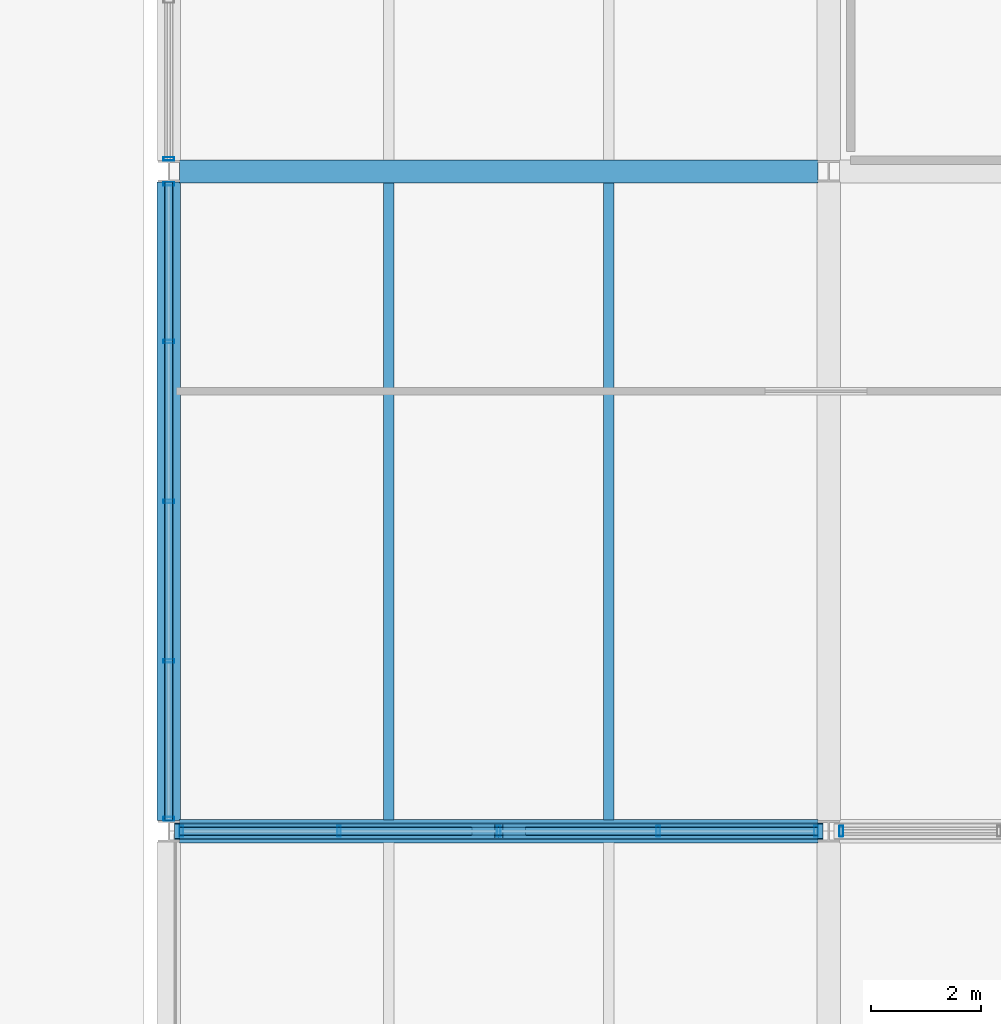
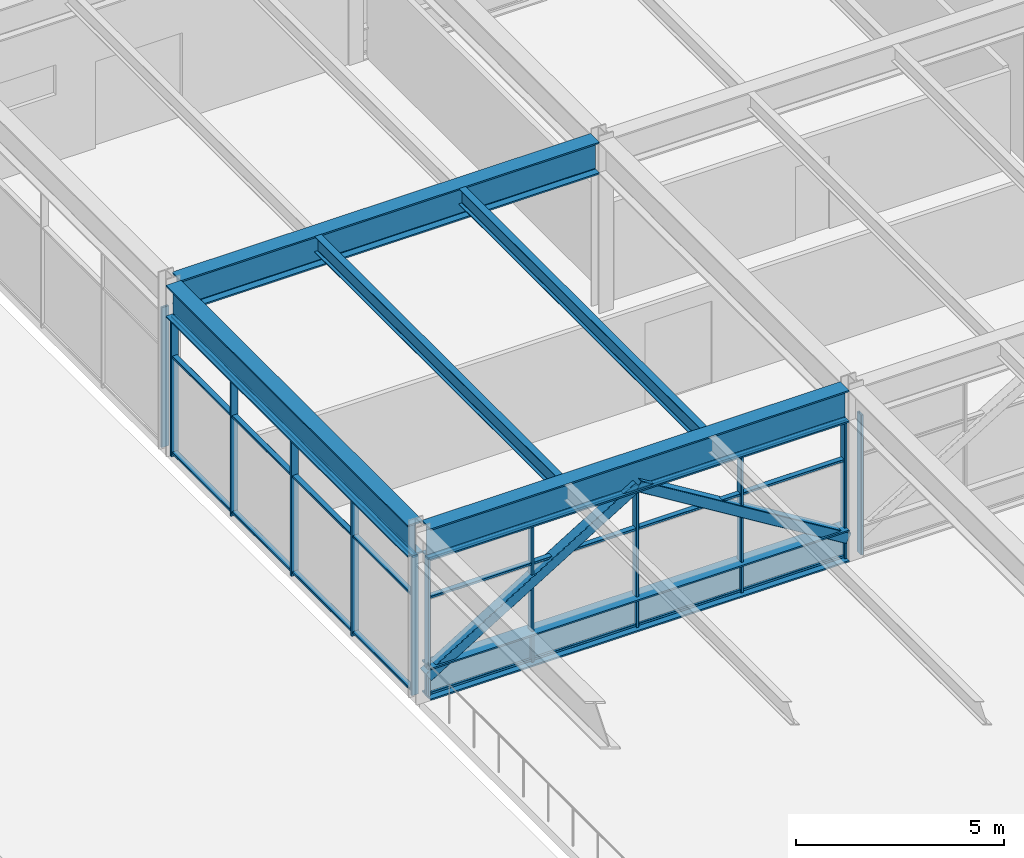
# One storey, part 7 of 42: 21 members, 5 beams, 4 elements without a shape of their own.
"""IFC4 building model written with IfcOpenShell, lengths in metres."""

from ifc_helpers import new_model, si_unit, direction, frame, origin, origin_2d, place, context, subcontext, project, spatial, hollow_rectangle, i_section, extrude, material, material_profile, profile_set, type_object, element, aggregate, save


model = new_model("IFC4")

# Units and contexts
model_context = context("Model", 3, precision=1e-05, world=origin(), true_north=direction((0.0, 1.0)))
body_context = subcontext(model_context, "Body", "Model", "MODEL_VIEW")
ifc_project = project(units=[si_unit("LENGTHUNIT", "METRE"), si_unit("AREAUNIT", "SQUARE_METRE"), si_unit("VOLUMEUNIT", "CUBIC_METRE"), si_unit("PLANEANGLEUNIT", "RADIAN"), si_unit("MASSUNIT", "GRAM", prefix="KILO")], contexts=[model_context])

# Site, building, storey
site_placement = place(None, origin())
site = spatial("IfcSite", under=ifc_project, at=site_placement, CompositionType="ELEMENT")
building_placement = place(site_placement, origin())
building = spatial("IfcBuilding", under=site, at=building_placement, Name="Girod Span Mobility Hub", CompositionType="ELEMENT")
storey_placement = place(building_placement, frame((0.0, 0.0, 32.39990234375)))
storey = spatial("IfcBuildingStorey", under=building, at=storey_placement, Name="L08", CompositionType="ELEMENT", Elevation=32.39990234375)

# Beams
ifc_material_1 = material(Name="Steel A992 Grade 50", Category="steel")
ifc_material_profile_1 = material_profile(ifc_material_1, i_section(OverallWidth=0.19189453125, OverallDepth=0.462890625, WebThickness=0.010498046875, FlangeThickness=0.017578125, FilletRadius=0.013916015625, at=origin_2d()), Name="W18X60")
ifc_profile_set_1 = profile_set([ifc_material_profile_1], Name="Steel A992 Grade 50")
beam_type_1 = type_object("IfcBeamType", Name="BM-STL-W18X60", PredefinedType="BEAM", material=ifc_profile_set_1)
for number, where, z_axis, x_axis, name in (
    (1, (28.0, 45.20849609375, 4.80859375), (0.0, 1.0, 0.0), (-1.0, 0.0, 0.0), "Composite Floorbeam 3/D-1 L08"),
    (2, (32.0, 45.20849609375, 4.80859375), (0.0, 1.0, 0.0), (-1.0, 0.0, 0.0), "Composite Floorbeam 3/D-2 L08"),
):
    element("IfcBeam", number, at=place(storey_placement, frame(where, z_axis=z_axis, x_axis=x_axis)), inside=storey, type_object=beam_type_1, Name=name, PredefinedType="BEAM", context=body_context, shape_type="SweptSolid", body=[
        extrude(i_section(OverallWidth=0.19189453125, OverallDepth=0.462890625, WebThickness=0.010498046875, FlangeThickness=0.017578125, FilletRadius=0.013916015625, at=origin_2d()), origin(), (0.0, 0.0, 1.0), 11.5830078125),
    ])
ifc_material_2 = material(Name="Steel A992 Grade 50", Category="steel")
ifc_material_profile_2 = material_profile(ifc_material_2, i_section(OverallWidth=0.423095703125, OverallDepth=0.93994140625, WebThickness=0.02392578125, FlangeThickness=0.042724609375, FilletRadius=0.02392578125, at=origin_2d()), Name="W36X302")
ifc_profile_set_2 = profile_set([ifc_material_profile_2], Name="Steel A992 Grade 50")
beam_type_2 = type_object("IfcBeamType", Name="BM-STL-W36X302", PredefinedType="BEAM", material=ifc_profile_set_2)
for number, where, z_axis, x_axis, name in (
    (3, (24.196533203125, 45.0, 4.570068359375), (1.0, 0.0, 0.0), (0.0, 1.0, 0.0), "Girder 3-4/D L08"),
    (4, (24.196533203125, 57.0, 4.570068359375), (1.0, 0.0, 0.0), (0.0, 1.0, 0.0), "Girder 3-4/E L08"),
):
    element("IfcBeam", number, at=place(storey_placement, frame(where, z_axis=z_axis, x_axis=x_axis)), inside=storey, type_object=beam_type_2, Name=name, PredefinedType="BEAM", context=body_context, shape_type="SweptSolid", body=[
        extrude(i_section(OverallWidth=0.423095703125, OverallDepth=0.93994140625, WebThickness=0.02392578125, FlangeThickness=0.042724609375, FilletRadius=0.02392578125, at=origin_2d()), origin(), (0.0, 0.0, 1.0), 11.60693359375),
    ])
beam_placement = place(storey_placement, frame((24.0, 45.193603515625, 4.570068359375), z_axis=(0.0, 1.0, 0.0), x_axis=(-1.0, 0.0, 0.0)))
element("IfcBeam", 5, at=beam_placement, inside=storey, type_object=beam_type_2, Name="Tie Girder 3/D-E L08", PredefinedType="BEAM", context=body_context, shape_type="SweptSolid", body=[
    extrude(i_section(OverallWidth=0.423095703125, OverallDepth=0.93994140625, WebThickness=0.02392578125, FlangeThickness=0.042724609375, FilletRadius=0.02392578125, at=origin_2d()), origin(), (0.0, 0.0, 1.0), 11.61279296875),
])

# Curtain wall, members
ifc_material_3 = material(Name="Thermally Broken Anodised Aluminium", Category="aluminium")
curtain_wall_type_1 = type_object("IfcCurtainWallType", Name="CW-1160X410", PredefinedType="USERDEFINED", material=ifc_material_3)
curtain_wall_1_placement = place(storey_placement, origin())
curtain_wall_1 = element("IfcCurtainWall", 6, at=curtain_wall_1_placement, inside=storey, type_object=curtain_wall_type_1, Name="Unitised Curtain Wall CW-L08-S03 L08", ObjectType="UNITISED CURTAIN WALL", PredefinedType="USERDEFINED")
ifc_material_4 = material(Name="Thermally Broken Anodised Aluminium", Category="aluminium")
ifc_material_profile_3 = material_profile(ifc_material_4, hollow_rectangle(XDim=0.199951171875, YDim=0.06494140625, WallThickness=0.00390625, InnerFilletRadius=0.00390625, OuterFilletRadius=0.008056640625, at=origin_2d()), Name="CW-ML-65X200")
ifc_profile_set_3 = profile_set([ifc_material_profile_3], Name="Thermally Broken Anodised Aluminium")
member_type_1 = type_object("IfcMemberType", Name="CWM-ML-1", PredefinedType="MULLION", material=ifc_profile_set_3)
member_1_placement = place(storey_placement, frame((24.2294921875, 45.0, 0.0), z_axis=(0.0, 0.0, 1.0), x_axis=(0.0, 1.0, 0.0)))
member_1 = element("IfcMember", 7, at=member_1_placement, type_object=member_type_1, Name="Curtain Wall Mullion CW-L08-S03-M0", PredefinedType="MULLION", context=body_context, shape_type="SweptSolid", body=[
    extrude(hollow_rectangle(XDim=0.199951171875, YDim=0.06494140625, WallThickness=0.00390625, InnerFilletRadius=0.00390625, OuterFilletRadius=0.008056640625, at=origin_2d()), origin(), (0.0, 0.0, 1.0), 4.10009765625),
])
member_2_placement = place(storey_placement, frame((27.098876953125, 45.0, 0.0), z_axis=(0.0, 0.0, 1.0), x_axis=(0.0, 1.0, 0.0)))
member_2 = element("IfcMember", 8, at=member_2_placement, type_object=member_type_1, Name="Curtain Wall Mullion CW-L08-S03-M1", PredefinedType="MULLION", context=body_context, shape_type="SweptSolid", body=[
    extrude(hollow_rectangle(XDim=0.199951171875, YDim=0.06494140625, WallThickness=0.00390625, InnerFilletRadius=0.00390625, OuterFilletRadius=0.008056640625, at=origin_2d()), origin(), (0.0, 0.0, 1.0), 4.10009765625),
])
member_3_placement = place(storey_placement, frame((30.0, 45.0, 0.0), z_axis=(0.0, 0.0, 1.0), x_axis=(0.0, 1.0, 0.0)))
member_3 = element("IfcMember", 9, at=member_3_placement, type_object=member_type_1, Name="Curtain Wall Mullion CW-L08-S03-M2", PredefinedType="MULLION", context=body_context, shape_type="SweptSolid", body=[
    extrude(hollow_rectangle(XDim=0.199951171875, YDim=0.06494140625, WallThickness=0.00390625, InnerFilletRadius=0.00390625, OuterFilletRadius=0.008056640625, at=origin_2d()), origin(), (0.0, 0.0, 1.0), 4.10009765625),
])
member_4_placement = place(storey_placement, frame((32.9013671875, 45.0, 0.0), z_axis=(0.0, 0.0, 1.0), x_axis=(0.0, 1.0, 0.0)))
member_4 = element("IfcMember", 10, at=member_4_placement, type_object=member_type_1, Name="Curtain Wall Mullion CW-L08-S03-M3", PredefinedType="MULLION", context=body_context, shape_type="SweptSolid", body=[
    extrude(hollow_rectangle(XDim=0.199951171875, YDim=0.06494140625, WallThickness=0.00390625, InnerFilletRadius=0.00390625, OuterFilletRadius=0.008056640625, at=origin_2d()), origin(), (0.0, 0.0, 1.0), 4.10009765625),
])
member_5_placement = place(storey_placement, frame((35.7705078125, 45.0, 0.0), z_axis=(0.0, 0.0, 1.0), x_axis=(0.0, 1.0, 0.0)))
member_5 = element("IfcMember", 11, at=member_5_placement, type_object=member_type_1, Name="Curtain Wall Mullion CW-L08-S03-M4", PredefinedType="MULLION", context=body_context, shape_type="SweptSolid", body=[
    extrude(hollow_rectangle(XDim=0.199951171875, YDim=0.06494140625, WallThickness=0.00390625, InnerFilletRadius=0.00390625, OuterFilletRadius=0.008056640625, at=origin_2d()), origin(), (0.0, 0.0, 1.0), 4.10009765625),
])

# Curtain wall, member
curtain_wall_2_placement = place(storey_placement, origin())
curtain_wall_2 = element("IfcCurtainWall", 12, at=curtain_wall_2_placement, inside=storey, type_object=curtain_wall_type_1, Name="Unitised Curtain Wall CW-L08-S04 L08", ObjectType="UNITISED CURTAIN WALL", PredefinedType="USERDEFINED")
member_6_placement = place(storey_placement, frame((36.2294921875, 45.0, 0.0), z_axis=(0.0, 0.0, 1.0), x_axis=(0.0, 1.0, 0.0)))
member_6 = element("IfcMember", 13, at=member_6_placement, type_object=member_type_1, Name="Curtain Wall Mullion CW-L08-S04-M0", PredefinedType="MULLION", context=body_context, shape_type="SweptSolid", body=[
    extrude(hollow_rectangle(XDim=0.199951171875, YDim=0.06494140625, WallThickness=0.00390625, InnerFilletRadius=0.00390625, OuterFilletRadius=0.008056640625, at=origin_2d()), origin(), (0.0, 0.0, 1.0), 4.10009765625),
])
aggregate(curtain_wall_2, [member_6])

# Curtain wall, members
ifc_material_5 = material(Name="Thermally Broken Anodised Aluminium", Category="aluminium")
curtain_wall_type_2 = type_object("IfcCurtainWallType", Name="CW-1161X410", PredefinedType="USERDEFINED", material=ifc_material_5)
curtain_wall_3_placement = place(storey_placement, origin())
curtain_wall_3 = element("IfcCurtainWall", 14, at=curtain_wall_3_placement, inside=storey, type_object=curtain_wall_type_2, Name="Unitised Curtain Wall CW-L08-WD L08", ObjectType="UNITISED CURTAIN WALL", PredefinedType="USERDEFINED")
member_7_placement = place(storey_placement, frame((24.0, 45.2265625, 0.0), z_axis=(0.0, 0.0, 1.0), x_axis=(1.0, 0.0, 0.0)))
member_7 = element("IfcMember", 15, at=member_7_placement, type_object=member_type_1, Name="Curtain Wall Mullion CW-L08-WD-M0", PredefinedType="MULLION", context=body_context, shape_type="SweptSolid", body=[
    extrude(hollow_rectangle(XDim=0.199951171875, YDim=0.06494140625, WallThickness=0.00390625, InnerFilletRadius=0.00390625, OuterFilletRadius=0.008056640625, at=origin_2d()), origin(), (0.0, 0.0, 1.0), 4.10009765625),
])
member_8_placement = place(storey_placement, frame((24.0, 48.09716796875, 0.0), z_axis=(0.0, 0.0, 1.0), x_axis=(1.0, 0.0, 0.0)))
member_8 = element("IfcMember", 16, at=member_8_placement, type_object=member_type_1, Name="Curtain Wall Mullion CW-L08-WD-M1", PredefinedType="MULLION", context=body_context, shape_type="SweptSolid", body=[
    extrude(hollow_rectangle(XDim=0.199951171875, YDim=0.06494140625, WallThickness=0.00390625, InnerFilletRadius=0.00390625, OuterFilletRadius=0.008056640625, at=origin_2d()), origin(), (0.0, 0.0, 1.0), 4.10009765625),
])
member_9_placement = place(storey_placement, frame((24.0, 51.0, 0.0), z_axis=(0.0, 0.0, 1.0), x_axis=(1.0, 0.0, 0.0)))
member_9 = element("IfcMember", 17, at=member_9_placement, type_object=member_type_1, Name="Curtain Wall Mullion CW-L08-WD-M2", PredefinedType="MULLION", context=body_context, shape_type="SweptSolid", body=[
    extrude(hollow_rectangle(XDim=0.199951171875, YDim=0.06494140625, WallThickness=0.00390625, InnerFilletRadius=0.00390625, OuterFilletRadius=0.008056640625, at=origin_2d()), origin(), (0.0, 0.0, 1.0), 4.10009765625),
])
member_10_placement = place(storey_placement, frame((24.0, 53.902587890625, 0.0), z_axis=(0.0, 0.0, 1.0), x_axis=(1.0, 0.0, 0.0)))
member_10 = element("IfcMember", 18, at=member_10_placement, type_object=member_type_1, Name="Curtain Wall Mullion CW-L08-WD-M3", PredefinedType="MULLION", context=body_context, shape_type="SweptSolid", body=[
    extrude(hollow_rectangle(XDim=0.199951171875, YDim=0.06494140625, WallThickness=0.00390625, InnerFilletRadius=0.00390625, OuterFilletRadius=0.008056640625, at=origin_2d()), origin(), (0.0, 0.0, 1.0), 4.10009765625),
])
member_11_placement = place(storey_placement, frame((24.0, 56.7734375, 0.0), z_axis=(0.0, 0.0, 1.0), x_axis=(1.0, 0.0, 0.0)))
member_11 = element("IfcMember", 19, at=member_11_placement, type_object=member_type_1, Name="Curtain Wall Mullion CW-L08-WD-M4", PredefinedType="MULLION", context=body_context, shape_type="SweptSolid", body=[
    extrude(hollow_rectangle(XDim=0.199951171875, YDim=0.06494140625, WallThickness=0.00390625, InnerFilletRadius=0.00390625, OuterFilletRadius=0.008056640625, at=origin_2d()), origin(), (0.0, 0.0, 1.0), 4.10009765625),
])

# Curtain wall, member
curtain_wall_4_placement = place(storey_placement, origin())
curtain_wall_4 = element("IfcCurtainWall", 20, at=curtain_wall_4_placement, inside=storey, type_object=curtain_wall_type_2, Name="Unitised Curtain Wall CW-L08-WE L08", ObjectType="UNITISED CURTAIN WALL", PredefinedType="USERDEFINED")
member_12_placement = place(storey_placement, frame((24.0, 57.2265625, 0.0), z_axis=(0.0, 0.0, 1.0), x_axis=(1.0, 0.0, 0.0)))
member_12 = element("IfcMember", 21, at=member_12_placement, type_object=member_type_1, Name="Curtain Wall Mullion CW-L08-WE-M0", PredefinedType="MULLION", context=body_context, shape_type="SweptSolid", body=[
    extrude(hollow_rectangle(XDim=0.199951171875, YDim=0.06494140625, WallThickness=0.00390625, InnerFilletRadius=0.00390625, OuterFilletRadius=0.008056640625, at=origin_2d()), origin(), (0.0, 0.0, 1.0), 4.10009765625),
])
aggregate(curtain_wall_4, [member_12])

# Member
ifc_material_6 = material(Name="Thermally Broken Anodised Aluminium", Category="aluminium")
ifc_material_profile_4 = material_profile(ifc_material_6, hollow_rectangle(XDim=0.14990234375, YDim=0.06494140625, WallThickness=0.00390625, InnerFilletRadius=0.00390625, OuterFilletRadius=0.008056640625, at=origin_2d()), Name="CW-TR-65X150")
ifc_profile_set_4 = profile_set([ifc_material_profile_4], Name="Thermally Broken Anodised Aluminium")
member_type_2 = type_object("IfcMemberType", Name="CWM-TR-1", PredefinedType="USERDEFINED", material=ifc_profile_set_4)
member_13_placement = place(storey_placement, frame((24.197509765625, 45.0, 0.107666015625), z_axis=(1.0, 0.0, 0.0), x_axis=(0.0, 1.0, 0.0)))
member_13 = element("IfcMember", 22, at=member_13_placement, type_object=member_type_2, Name="Curtain Wall Transom CW-L08-S03-T1", ObjectType="TRANSOM", PredefinedType="USERDEFINED", context=body_context, shape_type="SweptSolid", body=[
    extrude(hollow_rectangle(XDim=0.14990234375, YDim=0.06494140625, WallThickness=0.00390625, InnerFilletRadius=0.00390625, OuterFilletRadius=0.008056640625, at=origin_2d()), origin(), (0.0, 0.0, 1.0), 11.60498046875),
])

member_14_placement = place(storey_placement, frame((24.197509765625, 45.0, 2.919677734375), z_axis=(1.0, 0.0, 0.0), x_axis=(0.0, 1.0, 0.0)))
member_14 = element("IfcMember", 23, at=member_14_placement, type_object=member_type_2, Name="Curtain Wall Transom CW-L08-S03-T2", ObjectType="TRANSOM", PredefinedType="USERDEFINED", context=body_context, shape_type="SweptSolid", body=[
    extrude(hollow_rectangle(XDim=0.14990234375, YDim=0.06494140625, WallThickness=0.00390625, InnerFilletRadius=0.00390625, OuterFilletRadius=0.008056640625, at=origin_2d()), origin(), (0.0, 0.0, 1.0), 11.60498046875),
])

member_15_placement = place(storey_placement, frame((24.197509765625, 45.0, 4.067626953125), z_axis=(1.0, 0.0, 0.0), x_axis=(0.0, 1.0, 0.0)))
member_15 = element("IfcMember", 24, at=member_15_placement, type_object=member_type_2, Name="Curtain Wall Transom CW-L08-S03-T3", ObjectType="TRANSOM", PredefinedType="USERDEFINED", context=body_context, shape_type="SweptSolid", body=[
    extrude(hollow_rectangle(XDim=0.14990234375, YDim=0.06494140625, WallThickness=0.00390625, InnerFilletRadius=0.00390625, OuterFilletRadius=0.008056640625, at=origin_2d()), origin(), (0.0, 0.0, 1.0), 11.60498046875),
])

aggregate(curtain_wall_1, [member_1, member_2, member_3, member_4, member_5, member_13, member_14, member_15])

member_16_placement = place(storey_placement, frame((24.0, 45.194580078125, 0.107666015625), z_axis=(0.0, 1.0, 0.0), x_axis=(-1.0, 0.0, 0.0)))
member_16 = element("IfcMember", 25, at=member_16_placement, type_object=member_type_2, Name="Curtain Wall Transom CW-L08-WD-T1", ObjectType="TRANSOM", PredefinedType="USERDEFINED", context=body_context, shape_type="SweptSolid", body=[
    extrude(hollow_rectangle(XDim=0.14990234375, YDim=0.06494140625, WallThickness=0.00390625, InnerFilletRadius=0.00390625, OuterFilletRadius=0.008056640625, at=origin_2d()), origin(), (0.0, 0.0, 1.0), 11.61083984375),
])

member_17_placement = place(storey_placement, frame((24.0, 45.194580078125, 2.919677734375), z_axis=(0.0, 1.0, 0.0), x_axis=(-1.0, 0.0, 0.0)))
member_17 = element("IfcMember", 26, at=member_17_placement, type_object=member_type_2, Name="Curtain Wall Transom CW-L08-WD-T2", ObjectType="TRANSOM", PredefinedType="USERDEFINED", context=body_context, shape_type="SweptSolid", body=[
    extrude(hollow_rectangle(XDim=0.14990234375, YDim=0.06494140625, WallThickness=0.00390625, InnerFilletRadius=0.00390625, OuterFilletRadius=0.008056640625, at=origin_2d()), origin(), (0.0, 0.0, 1.0), 11.61083984375),
])

member_18_placement = place(storey_placement, frame((24.0, 45.194580078125, 4.067626953125), z_axis=(0.0, 1.0, 0.0), x_axis=(-1.0, 0.0, 0.0)))
member_18 = element("IfcMember", 27, at=member_18_placement, type_object=member_type_2, Name="Curtain Wall Transom CW-L08-WD-T3", ObjectType="TRANSOM", PredefinedType="USERDEFINED", context=body_context, shape_type="SweptSolid", body=[
    extrude(hollow_rectangle(XDim=0.14990234375, YDim=0.06494140625, WallThickness=0.00390625, InnerFilletRadius=0.00390625, OuterFilletRadius=0.008056640625, at=origin_2d()), origin(), (0.0, 0.0, 1.0), 11.61083984375),
])

aggregate(curtain_wall_3, [member_7, member_8, member_9, member_10, member_11, member_16, member_17, member_18])

# Members
ifc_material_7 = material(Name="Steel HSS A500 Grade C", Category="steel")
ifc_material_profile_5 = material_profile(ifc_material_7, hollow_rectangle(XDim=0.304931640625, YDim=0.304931640625, WallThickness=0.014892578125, InnerFilletRadius=0.014892578125, OuterFilletRadius=0.029541015625, at=origin_2d()), Name="HSS305X305X16")
ifc_profile_set_5 = profile_set([ifc_material_profile_5], Name="Steel HSS A500 Grade C")
member_type_3 = type_object("IfcMemberType", Name="MB-BR-HSS305", PredefinedType="BRACE", material=ifc_profile_set_5)
for number, where, z_axis, x_axis, name in (
    (28, (24.179443359375, 45.0, 0.650146484375), (0.852429572688, 0.0, 0.522842063731), (0.0, 1.0, 0.0), "Warren Transfer Truss Web Diagonal Y=45 3-L"),
    (29, (35.820556640625, 45.0, 0.650146484375), (-0.852429572688, 0.0, 0.522842063731), (0.0, -1.0, 0.0), "Warren Transfer Truss Web Diagonal Y=45 3-R"),
):
    element("IfcMember", number, at=place(storey_placement, frame(where, z_axis=z_axis, x_axis=x_axis)), inside=storey, type_object=member_type_3, Name=name, PredefinedType="BRACE", context=body_context, shape_type="SweptSolid", body=[
        extrude(hollow_rectangle(XDim=0.304931640625, YDim=0.304931640625, WallThickness=0.014892578125, InnerFilletRadius=0.014892578125, OuterFilletRadius=0.029541015625, at=origin_2d()), origin(), (0.0, 0.0, 1.0), 6.828125),
    ])
ifc_material_8 = material(Name="Steel A992 Grade 50", Category="steel")
ifc_material_profile_6 = material_profile(ifc_material_8, i_section(OverallWidth=0.423095703125, OverallDepth=0.93994140625, WebThickness=0.02392578125, FlangeThickness=0.042724609375, FilletRadius=0.02392578125, at=origin_2d()), Name="W36X302")
ifc_profile_set_6 = profile_set([ifc_material_profile_6], Name="Steel A992 Grade 50")
member_type_4 = type_object("IfcMemberType", Name="MB-CH-W36X302", PredefinedType="CHORD", material=ifc_profile_set_6)
member_19_placement = place(storey_placement, frame((24.196533203125, 45.0, 0.47998046875), z_axis=(1.0, 0.0, 0.0), x_axis=(0.0, 1.0, 0.0)))
element("IfcMember", 30, at=member_19_placement, inside=storey, type_object=member_type_4, Name="Warren Transfer Truss Bottom Chord Y=45 Bay 3", PredefinedType="CHORD", context=body_context, shape_type="SweptSolid", body=[
    extrude(i_section(OverallWidth=0.423095703125, OverallDepth=0.93994140625, WebThickness=0.02392578125, FlangeThickness=0.042724609375, FilletRadius=0.02392578125, at=origin_2d()), origin(), (0.0, 0.0, 1.0), 11.60693359375),
])

save(model, "model.ifc")
